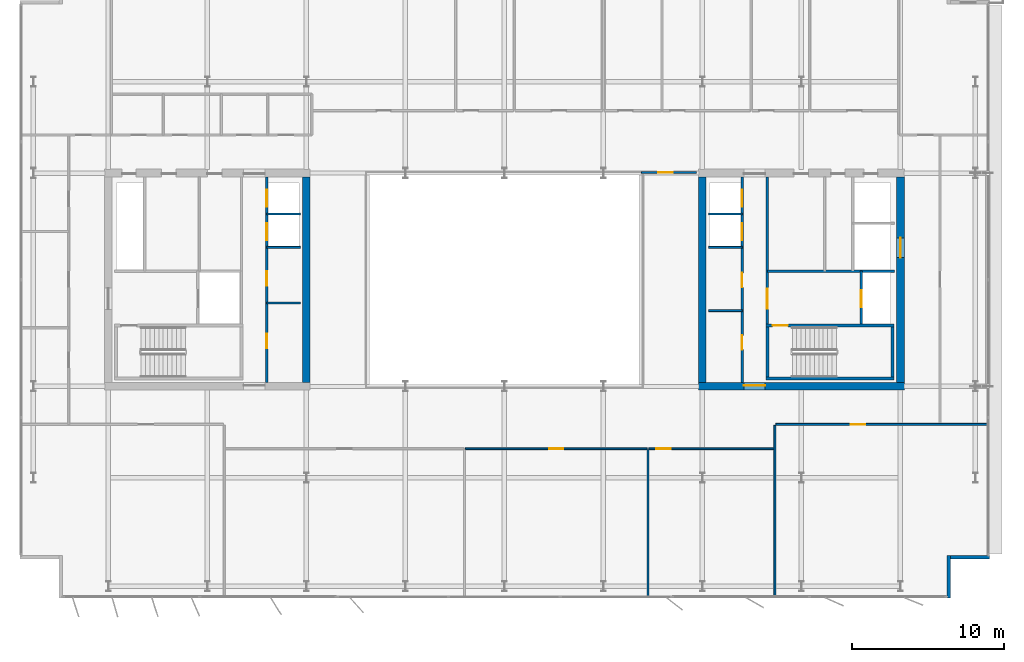
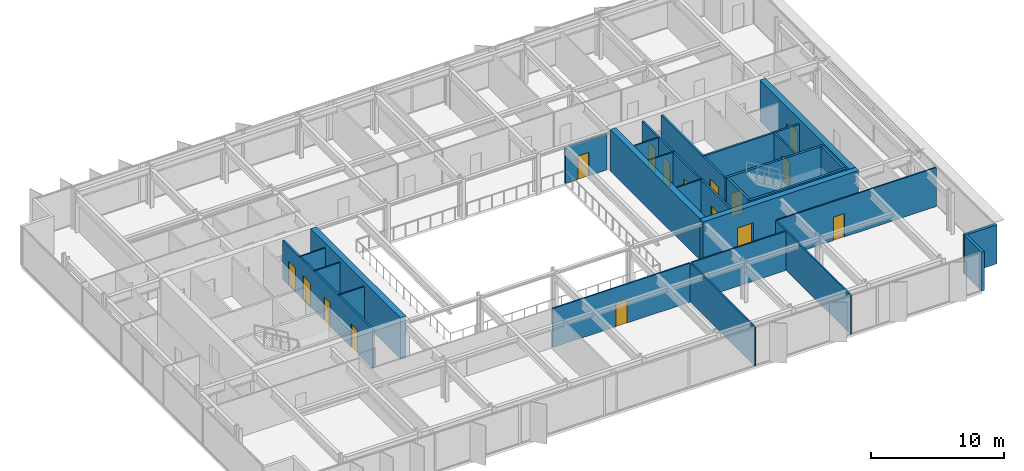
# One storey, part 13 of 19: 27 walls, 17 doors, 17 openings.
"""IFC4 building model written with IfcOpenShell, lengths in metres."""

from ifc_helpers import new_model, si_unit, direction, frame, frame_2d, origin, place, context, subcontext, project, spatial, rectangle, extrude, material, layer, layer_set, type_object, element, fill, save


model = new_model("IFC4")

# Units and contexts
model_context = context("Model", 3, precision=1e-05, world=origin(), true_north=direction((0.0, 1.0)))
body_context = subcontext(model_context, "Body", "Model", "MODEL_VIEW")
ifc_project = project(units=[si_unit("LENGTHUNIT", "METRE"), si_unit("AREAUNIT", "SQUARE_METRE"), si_unit("VOLUMEUNIT", "CUBIC_METRE"), si_unit("PLANEANGLEUNIT", "RADIAN"), si_unit("MASSUNIT", "GRAM", prefix="KILO")], contexts=[model_context])

# Site, building, storey
site_placement = place(None, origin())
site = spatial("IfcSite", under=ifc_project, at=site_placement, CompositionType="ELEMENT")
building_placement = place(site_placement, origin())
building = spatial("IfcBuilding", under=site, at=building_placement, Name="Putna Gate Headquarters", CompositionType="ELEMENT")
storey_placement = place(building_placement, frame((0.0, 0.0, 259.39990234375)))
storey = spatial("IfcBuildingStorey", under=building, at=storey_placement, Name="L65", CompositionType="ELEMENT", Elevation=259.39990234375)

# Wall
ifc_material_1 = material(Name="Concrete C50/60", Category="concrete")
ifc_layer_1 = layer(ifc_material_1, 0.5)
ifc_layer_set_1 = layer_set([ifc_layer_1], Name="Concrete C50/60")
wall_type_1 = type_object("IfcWallType", Name="WALL-CORE-500", PredefinedType="SHEAR", material=ifc_layer_set_1)
wall_1_placement = place(storey_placement, frame((26.0, 19.25, 0.0), z_axis=(0.0, 0.0, 1.0), x_axis=(0.0, 1.0, 0.0)))
element("IfcWall", 1, at=wall_1_placement, inside=storey, type_object=wall_type_1, Name="L65 WC Split Core Shear Wall E", PredefinedType="SHEAR", context=body_context, shape_type="SweptSolid", body=[
    extrude(rectangle(XDim=13.5, YDim=0.5, at=frame_2d((6.75, 0.0))), origin(), (0.0, 0.0, 1.0), 3.800048828125),
])

# Wall, opening, door
wall_2_placement = place(storey_placement, frame((51.75, 19.0, 0.0), z_axis=(0.0, 0.0, 1.0), x_axis=(1.0, 0.0, 0.0)))
wall_2 = element("IfcWall", 2, at=wall_2_placement, inside=storey, type_object=wall_type_1, Name="L65 EC Split Core Shear Wall S", PredefinedType="SHEAR", context=body_context, shape_type="SweptSolid", body=[
    extrude(rectangle(XDim=13.5, YDim=0.5, at=frame_2d((6.75, 0.0))), origin(), (0.0, 0.0, 1.0), 3.800048828125),
])
opening_1_placement = place(wall_2_placement, frame((2.969970703125, 0.0, 0.0)))
opening_1 = element("IfcOpeningElement", 3, at=opening_1_placement, cuts=wall_2, Name="Opening FDD-140", PredefinedType="OPENING", context=body_context, shape_type="SweptSolid", body=[
    extrude(rectangle(XDim=1.39990234375, YDim=2.199951171875, at=frame_2d((0.699951171875, 1.10009765625))), frame((0.0, 0.260009765625, 0.0), z_axis=(0.0, -1.0, 0.0), x_axis=(1.0, 0.0, 0.0)), (0.0, 0.0, 1.0), 0.52001953125),
])
ifc_material_2 = material(Name="Double steel fire door", Category="steel")
door_type_1 = type_object("IfcDoorType", Name="DOOR-FIRE-DBL-1400", OperationType="DOUBLE_DOOR_SINGLE_SWING", PredefinedType="DOOR", material=ifc_material_2)
door_1_placement = place(opening_1_placement, origin())
door_1 = element("IfcDoor", 4, at=door_1_placement, inside=storey, type_object=door_type_1, Name="L65 East Lift Lobby South Door", OperationType="DOUBLE_DOOR_SINGLE_SWING", OverallHeight=2.199951171875, OverallWidth=1.39990234375, PredefinedType="DOOR", context=body_context, shape_type="SweptSolid", body=[
    extrude(rectangle(XDim=1.39990234375, YDim=2.199951171875, at=frame_2d((0.699951171875, 1.10009765625))), frame((0.0, 0.0751953125, 0.0), z_axis=(0.0, -1.0, 0.0), x_axis=(1.0, 0.0, 0.0)), (0.0, 0.0, 1.0), 0.050048828125),
])
fill(opening_1, door_1)

# Wall
wall_3_placement = place(storey_placement, frame((52.0, 19.25, 0.0), z_axis=(0.0, 0.0, 1.0), x_axis=(0.0, 1.0, 0.0)))
element("IfcWall", 5, at=wall_3_placement, inside=storey, type_object=wall_type_1, Name="L65 EC Split Core Shear Wall W", PredefinedType="SHEAR", context=body_context, shape_type="SweptSolid", body=[
    extrude(rectangle(XDim=13.5, YDim=0.5, at=frame_2d((6.75, 0.0))), origin(), (0.0, 0.0, 1.0), 3.800048828125),
])

# Wall, opening, door
wall_4_placement = place(storey_placement, frame((65.0, 19.25, 0.0), z_axis=(0.0, 0.0, 1.0), x_axis=(0.0, 1.0, 0.0)))
wall_4 = element("IfcWall", 6, at=wall_4_placement, inside=storey, type_object=wall_type_1, Name="L65 EC Split Core Shear Wall E", PredefinedType="SHEAR", context=body_context, shape_type="SweptSolid", body=[
    extrude(rectangle(XDim=13.5, YDim=0.5, at=frame_2d((6.75, 0.0))), origin(), (0.0, 0.0, 1.0), 3.800048828125),
])
opening_2_placement = place(wall_4_placement, frame((8.199951171875, 0.0, 0.0)))
opening_2 = element("IfcOpeningElement", 7, at=opening_2_placement, cuts=wall_4, Name="Opening LD-2", PredefinedType="OPENING", context=body_context, shape_type="SweptSolid", body=[
    extrude(rectangle(XDim=1.300048828125, YDim=2.199951171875, at=frame_2d((0.64990234375, 1.10009765625))), frame((0.0, 0.260009765625, 0.0), z_axis=(0.0, -1.0, 0.0), x_axis=(1.0, 0.0, 0.0)), (0.0, 0.0, 1.0), 0.52001953125),
])
ifc_material_3 = material(Name="Heavy-duty goods lift sliding landing door")
door_type_2 = type_object("IfcDoorType", Name="DOOR-LIFT-1300", OperationType="DOUBLE_DOOR_SLIDING", PredefinedType="DOOR", material=ifc_material_3)
door_2_placement = place(opening_2_placement, origin())
door_2 = element("IfcDoor", 8, at=door_2_placement, inside=storey, type_object=door_type_2, Name="L65 Goods Lift Landing Door LD-15", OperationType="DOUBLE_DOOR_SLIDING", OverallHeight=2.199951171875, OverallWidth=1.300048828125, PredefinedType="DOOR", context=body_context, shape_type="SweptSolid", body=[
    extrude(rectangle(XDim=1.300048828125, YDim=2.199951171875, at=frame_2d((0.64990234375, 1.10009765625))), frame((0.0, 0.02490234375, 0.0), z_axis=(0.0, -1.0, 0.0), x_axis=(1.0, 0.0, 0.0)), (0.0, 0.0, 1.0), 0.050048828125),
])
fill(opening_2, door_2)

# Walls
ifc_material_4 = material(Name="Precast concrete C40/50", Category="concrete")
ifc_layer_2 = layer(ifc_material_4, 0.239990234375)
ifc_layer_set_2 = layer_set([ifc_layer_2], Name="Precast concrete C40/50")
wall_type_2 = type_object("IfcWallType", Name="WALL-EXT-TERR-240", PredefinedType="STANDARD", material=ifc_layer_set_2)
wall_5_placement = place(storey_placement, frame((68.16796875, 7.89990234375, 0.0), z_axis=(0.0, 0.0, 1.0), x_axis=(0.0, -1.0, 0.0)))
element("IfcWall", 9, at=wall_5_placement, inside=storey, type_object=wall_type_2, Name="L65 Corner Notch Return Wall SE-V", PredefinedType="STANDARD", context=body_context, shape_type="SweptSolid", body=[
    extrude(rectangle(XDim=2.7998046875, YDim=0.239990234375, at=frame_2d((1.39990234375, 0.0))), origin(), (0.0, 0.0, 1.0), 3.588134765625),
])
wall_6_placement = place(storey_placement, frame((70.847900390625, 7.780029296875, 0.0), z_axis=(0.0, 0.0, 1.0), x_axis=(-1.0, 0.0, 0.0)))
element("IfcWall", 10, at=wall_6_placement, inside=storey, type_object=wall_type_2, Name="L65 Corner Notch Return Wall SE-H", PredefinedType="STANDARD", context=body_context, shape_type="SweptSolid", body=[
    extrude(rectangle(XDim=2.800048828125, YDim=0.239990234375, at=frame_2d((1.39990234375, 0.0))), origin(), (0.0, 0.0, 1.0), 3.588134765625),
])

# Wall, opening, door
ifc_material_5 = material(Name="Acoustic gypsum board on metal stud")
ifc_layer_3 = layer(ifc_material_5, 0.1201171875)
ifc_layer_set_3 = layer_set([ifc_layer_3], Name="Acoustic gypsum board on metal stud")
wall_type_3 = type_object("IfcWallType", Name="WALL-PART-120", PredefinedType="PARTITIONING", material=ifc_layer_set_3)
wall_7_placement = place(storey_placement, frame((48.0, 33.0400390625, 0.0), z_axis=(0.0, 0.0, 1.0), x_axis=(1.0, 0.0, 0.0)))
wall_7 = element("IfcWall", 11, at=wall_7_placement, inside=storey, type_object=wall_type_3, Name="L65 Interior Wall PART-L65-ATR-E-N", PredefinedType="PARTITIONING", context=body_context, shape_type="SweptSolid", body=[
    extrude(rectangle(XDim=3.60009765625, YDim=0.1201171875, at=frame_2d((1.800048828125, 0.0))), origin(), (0.0, 0.0, 1.0), 3.328125),
])
opening_3_placement = place(wall_7_placement, frame((1.10009765625, 0.0, 0.0)))
opening_3 = element("IfcOpeningElement", 12, at=opening_3_placement, cuts=wall_7, Name="Opening ID-95", PredefinedType="OPENING", context=body_context, shape_type="SweptSolid", body=[
    extrude(rectangle(XDim=0.949951171875, YDim=2.14990234375, at=frame_2d((0.47509765625, 1.074951171875))), frame((0.0, 0.070068359375, 0.0), z_axis=(0.0, -1.0, 0.0), x_axis=(1.0, 0.0, 0.0)), (0.0, 0.0, 1.0), 0.14013671875),
])
ifc_material_6 = material(Name="Veneered acoustic timber door", Category="wood")
door_type_3 = type_object("IfcDoorType", Name="DOOR-OFF-950", OperationType="NOTDEFINED", PredefinedType="DOOR", material=ifc_material_6)
door_3_placement = place(opening_3_placement, origin())
door_3 = element("IfcDoor", 13, at=door_3_placement, inside=storey, type_object=door_type_3, Name="L65 East Sky Atrium Lounge Door", OperationType="SINGLE_SWING_LEFT", OverallHeight=2.14990234375, OverallWidth=0.949951171875, PredefinedType="DOOR", context=body_context, shape_type="SweptSolid", body=[
    extrude(rectangle(XDim=0.949951171875, YDim=2.14990234375, at=frame_2d((0.47509765625, 1.074951171875))), frame((0.0, 0.02490234375, 0.0), z_axis=(0.0, -1.0, 0.0), x_axis=(1.0, 0.0, 0.0)), (0.0, 0.0, 1.0), 0.050048828125),
])
fill(opening_3, door_3)

# Walls
wall_8_placement = place(storey_placement, frame((48.428466796875, 5.1201171875, 0.0), z_axis=(0.0, 0.0, 1.0), x_axis=(0.0, 1.0, 0.0)))
element("IfcWall", 14, at=wall_8_placement, inside=storey, type_object=wall_type_3, Name="L65 Interior Wall PART-L65-SB-DIV-03", PredefinedType="PARTITIONING", context=body_context, shape_type="SweptSolid", body=[
    extrude(rectangle(XDim=9.719970703125, YDim=0.1201171875, at=frame_2d((4.85986328125, 0.0))), origin(), (0.0, 0.0, 1.0), 3.588134765625),
])
wall_9_placement = place(storey_placement, frame((56.757080078125, 5.1201171875, 0.0), z_axis=(0.0, 0.0, 1.0), x_axis=(0.0, 1.0, 0.0)))
element("IfcWall", 15, at=wall_9_placement, inside=storey, type_object=wall_type_3, Name="L65 Interior Wall PART-L65-SB-DIV-04", PredefinedType="PARTITIONING", context=body_context, shape_type="SweptSolid", body=[
    extrude(rectangle(XDim=11.31982421875, YDim=0.1201171875, at=frame_2d((5.659912109375, 0.0))), origin(), (0.0, 0.0, 1.0), 3.588134765625),
])
ifc_material_7 = material(Name="Fire-rated shaftwall gypsum board on metal stud")
ifc_layer_4 = layer(ifc_material_7, 0.1201171875)
ifc_layer_set_4 = layer_set([ifc_layer_4], Name="Fire-rated shaftwall gypsum board on metal stud")
wall_type_4 = type_object("IfcWallType", Name="WALL-PART-120-EI120", PredefinedType="PARTITIONING", material=ifc_layer_set_4)
for number, where, z_axis, x_axis, name in (
    (16, (23.39990234375, 30.31005859375, 0.0), (0.0, 0.0, 1.0), (1.0, 0.0, 0.0), "L65 Interior Wall CWINT-L65-WC-LF09-DIV"),
    (17, (52.39990234375, 30.31005859375, 0.0), (0.0, 0.0, 1.0), (1.0, 0.0, 0.0), "L65 Interior Wall CWINT-L65-EC-LF11-DIV"),
):
    element("IfcWall", number, at=place(storey_placement, frame(where, z_axis=z_axis, x_axis=x_axis)), inside=storey, type_object=wall_type_4, Name=name, PredefinedType="PARTITIONING", context=body_context, shape_type="SweptSolid", body=[
        extrude(rectangle(XDim=2.2001953125, YDim=0.1201171875, at=frame_2d((1.10009765625, 0.0))), origin(), (0.0, 0.0, 1.0), 3.588134765625),
    ])
ifc_material_8 = material(Name="Fire-rated gypsum board on metal stud")
ifc_layer_5 = layer(ifc_material_8, 0.1201171875)
ifc_layer_set_5 = layer_set([ifc_layer_5], Name="Fire-rated gypsum board on metal stud")
wall_type_5 = type_object("IfcWallType", Name="WALL-PART-120-RATED", PredefinedType="PARTITIONING", material=ifc_layer_set_5)
for number, where, z_axis, x_axis, name in (
    (18, (23.39990234375, 24.469970703125, 0.0), (0.0, 0.0, 1.0), (1.0, 0.0, 0.0), "L65 Interior Wall CWINT-L65-WC-REUSE-DIV"),
    (19, (23.39990234375, 28.1201171875, 0.0), (0.0, 0.0, 1.0), (1.0, 0.0, 0.0), "L65 Interior Wall CWINT-L65-WC-LF06-DIV"),
    (20, (52.39990234375, 23.969970703125, 0.0), (0.0, 0.0, 1.0), (1.0, 0.0, 0.0), "L65 Interior Wall CWINT-L65-EC-REUSE-DIV"),
    (21, (52.39990234375, 28.1201171875, 0.0), (0.0, 0.0, 1.0), (1.0, 0.0, 0.0), "L65 Interior Wall CWINT-L65-EC-LF08-DIV"),
):
    element("IfcWall", number, at=place(storey_placement, frame(where, z_axis=z_axis, x_axis=x_axis)), inside=storey, type_object=wall_type_5, Name=name, PredefinedType="PARTITIONING", context=body_context, shape_type="SweptSolid", body=[
        extrude(rectangle(XDim=2.2001953125, YDim=0.1201171875, at=frame_2d((1.10009765625, 0.0))), origin(), (0.0, 0.0, 1.0), 3.588134765625),
    ])

# Wall, opening, door
wall_10_placement = place(storey_placement, frame((36.4384765625, 14.89990234375, 0.0), z_axis=(0.0, 0.0, 1.0), x_axis=(1.0, 0.0, 0.0)))
wall_10 = element("IfcWall", 22, at=wall_10_placement, inside=storey, type_object=wall_type_5, Name="L65 Interior Wall PART-L65-SB-CW-03", PredefinedType="PARTITIONING", context=body_context, shape_type="SweptSolid", body=[
    extrude(rectangle(XDim=11.929931640625, YDim=0.1201171875, at=frame_2d((5.96484375, 0.0))), origin(), (0.0, 0.0, 1.0), 3.588134765625),
])
opening_4_placement = place(wall_10_placement, frame((5.489990234375, 0.0, 0.0)))
opening_4 = element("IfcOpeningElement", 23, at=opening_4_placement, cuts=wall_10, Name="Opening FD-95", PredefinedType="OPENING", context=body_context, shape_type="SweptSolid", body=[
    extrude(rectangle(XDim=0.949951171875, YDim=2.14990234375, at=frame_2d((0.47509765625, 1.074951171875))), frame((0.0, 0.070068359375, 0.0), z_axis=(0.0, -1.0, 0.0), x_axis=(1.0, 0.0, 0.0)), (0.0, 0.0, 1.0), 0.14013671875),
])
ifc_material_9 = material(Name="Acoustic timber fire door", Category="wood")
door_type_4 = type_object("IfcDoorType", Name="DOOR-FIRE-950", OperationType="NOTDEFINED", PredefinedType="DOOR", material=ifc_material_9)
door_4_placement = place(opening_4_placement, origin())
door_4 = element("IfcDoor", 24, at=door_4_placement, inside=storey, type_object=door_type_4, Name="L65 Conference Meeting Room 1 Door", OperationType="SINGLE_SWING_LEFT", OverallHeight=2.14990234375, OverallWidth=0.949951171875, PredefinedType="DOOR", context=body_context, shape_type="SweptSolid", body=[
    extrude(rectangle(XDim=0.949951171875, YDim=2.14990234375, at=frame_2d((0.47509765625, 1.074951171875))), frame((0.0, 0.02490234375, 0.0), z_axis=(0.0, -1.0, 0.0), x_axis=(1.0, 0.0, 0.0)), (0.0, 0.0, 1.0), 0.050048828125),
])
fill(opening_4, door_4)

wall_11_placement = place(storey_placement, frame((48.488525390625, 14.89990234375, 0.0), z_axis=(0.0, 0.0, 1.0), x_axis=(1.0, 0.0, 0.0)))
wall_11 = element("IfcWall", 25, at=wall_11_placement, inside=storey, type_object=wall_type_5, Name="L65 Interior Wall PART-L65-SB-CW-04", PredefinedType="PARTITIONING", context=body_context, shape_type="SweptSolid", body=[
    extrude(rectangle(XDim=8.208740234375, YDim=0.1201171875, at=frame_2d((4.1044921875, 0.0))), origin(), (0.0, 0.0, 1.0), 3.588134765625),
])
opening_5_placement = place(wall_11_placement, frame((0.47998046875, 0.0, 0.0)))
opening_5 = element("IfcOpeningElement", 26, at=opening_5_placement, cuts=wall_11, Name="Opening FD-95", PredefinedType="OPENING", context=body_context, shape_type="SweptSolid", body=[
    extrude(rectangle(XDim=0.949951171875, YDim=2.14990234375, at=frame_2d((0.47509765625, 1.074951171875))), frame((0.0, 0.070068359375, 0.0), z_axis=(0.0, -1.0, 0.0), x_axis=(1.0, 0.0, 0.0)), (0.0, 0.0, 1.0), 0.14013671875),
])
door_5_placement = place(opening_5_placement, origin())
door_5 = element("IfcDoor", 27, at=door_5_placement, inside=storey, type_object=door_type_4, Name="L65 Conference Meeting Room 2 Door", OperationType="SINGLE_SWING_RIGHT", OverallHeight=2.14990234375, OverallWidth=0.949951171875, PredefinedType="DOOR", context=body_context, shape_type="SweptSolid", body=[
    extrude(rectangle(XDim=0.949951171875, YDim=2.14990234375, at=frame_2d((0.47509765625, 1.074951171875))), frame((0.0, 0.02490234375, 0.0), z_axis=(0.0, -1.0, 0.0), x_axis=(1.0, 0.0, 0.0)), (0.0, 0.0, 1.0), 0.050048828125),
])
fill(opening_5, door_5)

wall_12_placement = place(storey_placement, frame((56.817138671875, 16.5, 0.0), z_axis=(0.0, 0.0, 1.0), x_axis=(1.0, 0.0, 0.0)))
wall_12 = element("IfcWall", 28, at=wall_12_placement, inside=storey, type_object=wall_type_5, Name="L65 Interior Wall PART-L65-SB-CW-05", PredefinedType="PARTITIONING", context=body_context, shape_type="SweptSolid", body=[
    extrude(rectangle(XDim=13.850830078125, YDim=0.1201171875, at=frame_2d((6.92529296875, 0.0))), origin(), (0.0, 0.0, 1.0), 3.588134765625),
])
opening_6_placement = place(wall_12_placement, frame((4.91650390625, 0.0, 0.0)))
opening_6 = element("IfcOpeningElement", 29, at=opening_6_placement, cuts=wall_12, Name="Opening FD-95", PredefinedType="OPENING", context=body_context, shape_type="SweptSolid", body=[
    extrude(rectangle(XDim=0.949951171875, YDim=2.14990234375, at=frame_2d((0.47509765625, 1.074951171875))), frame((0.0, 0.070068359375, 0.0), z_axis=(0.0, -1.0, 0.0), x_axis=(1.0, 0.0, 0.0)), (0.0, 0.0, 1.0), 0.14013671875),
])
door_6_placement = place(opening_6_placement, origin())
door_6 = element("IfcDoor", 30, at=door_6_placement, inside=storey, type_object=door_type_4, Name="L65 Quiet Wellness Focus Studio 1 Door", OperationType="SINGLE_SWING_LEFT", OverallHeight=2.14990234375, OverallWidth=0.949951171875, PredefinedType="DOOR", context=body_context, shape_type="SweptSolid", body=[
    extrude(rectangle(XDim=0.949951171875, YDim=2.14990234375, at=frame_2d((0.47509765625, 1.074951171875))), frame((0.0, 0.02490234375, 0.0), z_axis=(0.0, -1.0, 0.0), x_axis=(1.0, 0.0, 0.0)), (0.0, 0.0, 1.0), 0.050048828125),
])
fill(opening_6, door_6)

# Wall, openings, doors
ifc_material_10 = material(Name="Concrete C40/50", Category="concrete")
ifc_layer_6 = layer(ifc_material_10, 0.159912109375)
ifc_layer_set_6 = layer_set([ifc_layer_6], Name="Concrete C40/50")
wall_type_6 = type_object("IfcWallType", Name="WALL-SHAFT-160", PredefinedType="STANDARD", material=ifc_layer_set_6)
wall_13_placement = place(storey_placement, frame((23.39990234375, 19.25, 0.0), z_axis=(0.0, 0.0, 1.0), x_axis=(0.0, 1.0, 0.0)))
wall_13 = element("IfcWall", 31, at=wall_13_placement, inside=storey, type_object=wall_type_6, Name="L65 Interior Wall CWINT-L65-WC-PL-WALL", PredefinedType="STANDARD", context=body_context, shape_type="SweptSolid", body=[
    extrude(rectangle(XDim=13.5, YDim=0.159912109375, at=frame_2d((6.75, 0.0))), origin(), (0.0, 0.0, 1.0), 3.588134765625),
])
opening_7_placement = place(wall_13_placement, frame((2.25, 0.0, 0.0)))
opening_7 = element("IfcOpeningElement", 32, at=opening_7_placement, cuts=wall_13, Name="Opening IDS-95", PredefinedType="OPENING", context=body_context, shape_type="SweptSolid", body=[
    extrude(rectangle(XDim=0.949951171875, YDim=2.14990234375, at=frame_2d((0.47509765625, 1.074951171875))), frame((0.0, 0.08984375, 0.0), z_axis=(0.0, -1.0, 0.0), x_axis=(1.0, 0.0, 0.0)), (0.0, 0.0, 1.0), 0.179931640625),
])
opening_8_placement = place(wall_13_placement, frame((6.35009765625, 0.0, 0.0)))
opening_8 = element("IfcOpeningElement", 33, at=opening_8_placement, cuts=wall_13, Name="Opening IDS-95", PredefinedType="OPENING", context=body_context, shape_type="SweptSolid", body=[
    extrude(rectangle(XDim=0.949951171875, YDim=2.14990234375, at=frame_2d((0.47509765625, 1.074951171875))), frame((0.0, 0.08984375, 0.0), z_axis=(0.0, -1.0, 0.0), x_axis=(1.0, 0.0, 0.0)), (0.0, 0.0, 1.0), 0.179931640625),
])
opening_9_placement = place(wall_13_placement, frame((9.35009765625, 0.0, 0.0)))
opening_9 = element("IfcOpeningElement", 34, at=opening_9_placement, cuts=wall_13, Name="Opening LD-1", PredefinedType="OPENING", context=body_context, shape_type="SweptSolid", body=[
    extrude(rectangle(XDim=1.10009765625, YDim=2.199951171875, at=frame_2d((0.550048828125, 1.10009765625))), frame((0.0, 0.08984375, 0.0), z_axis=(0.0, -1.0, 0.0), x_axis=(1.0, 0.0, 0.0)), (0.0, 0.0, 1.0), 0.179931640625),
])
opening_10_placement = place(wall_13_placement, frame((11.550048828125, 0.0, 0.0)))
opening_10 = element("IfcOpeningElement", 35, at=opening_10_placement, cuts=wall_13, Name="Opening LD-1", PredefinedType="OPENING", context=body_context, shape_type="SweptSolid", body=[
    extrude(rectangle(XDim=1.10009765625, YDim=2.199951171875, at=frame_2d((0.550048828125, 1.10009765625))), frame((0.0, 0.08984375, 0.0), z_axis=(0.0, -1.0, 0.0), x_axis=(1.0, 0.0, 0.0)), (0.0, 0.0, 1.0), 0.179931640625),
])
ifc_material_11 = material(Name="Fire-rated service timber door", Category="wood")
door_type_5 = type_object("IfcDoorType", Name="DOOR-INT-950", OperationType="NOTDEFINED", PredefinedType="DOOR", material=ifc_material_11)
door_7_placement = place(opening_7_placement, origin())
door_7 = element("IfcDoor", 36, at=door_7_placement, inside=storey, type_object=door_type_5, Name="L65 Tenant IT Hub Door", OperationType="SINGLE_SWING_LEFT", OverallHeight=2.14990234375, OverallWidth=0.949951171875, PredefinedType="DOOR", context=body_context, shape_type="SweptSolid", body=[
    extrude(rectangle(XDim=0.949951171875, YDim=2.14990234375, at=frame_2d((0.47509765625, 1.074951171875))), frame((0.0, 0.02490234375, 0.0), z_axis=(0.0, -1.0, 0.0), x_axis=(1.0, 0.0, 0.0)), (0.0, 0.0, 1.0), 0.050048828125),
])
fill(opening_7, door_7)
door_8_placement = place(opening_8_placement, origin())
door_8 = element("IfcDoor", 37, at=door_8_placement, inside=storey, type_object=door_type_5, Name="L65 Records Vault Door", OperationType="SINGLE_SWING_RIGHT", OverallHeight=2.14990234375, OverallWidth=0.949951171875, PredefinedType="DOOR", context=body_context, shape_type="SweptSolid", body=[
    extrude(rectangle(XDim=0.949951171875, YDim=2.14990234375, at=frame_2d((0.47509765625, 1.074951171875))), frame((0.0, 0.02490234375, 0.0), z_axis=(0.0, -1.0, 0.0), x_axis=(1.0, 0.0, 0.0)), (0.0, 0.0, 1.0), 0.050048828125),
])
fill(opening_8, door_8)
ifc_material_12 = material(Name="Brushed bronze stainless lift landing door")
door_type_6 = type_object("IfcDoorType", Name="DOOR-LIFT-1100", OperationType="DOUBLE_DOOR_SLIDING", PredefinedType="DOOR", material=ifc_material_12)
door_9_placement = place(opening_9_placement, origin())
door_9 = element("IfcDoor", 38, at=door_9_placement, inside=storey, type_object=door_type_6, Name="L65 Lift Landing Door LD-09", OperationType="DOUBLE_DOOR_SLIDING", OverallHeight=2.199951171875, OverallWidth=1.10009765625, PredefinedType="DOOR", context=body_context, shape_type="SweptSolid", body=[
    extrude(rectangle(XDim=1.10009765625, YDim=2.199951171875, at=frame_2d((0.550048828125, 1.10009765625))), frame((0.0, 0.02490234375, 0.0), z_axis=(0.0, -1.0, 0.0), x_axis=(1.0, 0.0, 0.0)), (0.0, 0.0, 1.0), 0.050048828125),
])
fill(opening_9, door_9)
door_10_placement = place(opening_10_placement, origin())
door_10 = element("IfcDoor", 39, at=door_10_placement, inside=storey, type_object=door_type_6, Name="L65 Lift Landing Door LD-10", OperationType="DOUBLE_DOOR_SLIDING", OverallHeight=2.199951171875, OverallWidth=1.10009765625, PredefinedType="DOOR", context=body_context, shape_type="SweptSolid", body=[
    extrude(rectangle(XDim=1.10009765625, YDim=2.199951171875, at=frame_2d((0.550048828125, 1.10009765625))), frame((0.0, 0.02490234375, 0.0), z_axis=(0.0, -1.0, 0.0), x_axis=(1.0, 0.0, 0.0)), (0.0, 0.0, 1.0), 0.050048828125),
])
fill(opening_10, door_10)

wall_14_placement = place(storey_placement, frame((54.60009765625, 19.25, 0.0), z_axis=(0.0, 0.0, 1.0), x_axis=(0.0, 1.0, 0.0)))
wall_14 = element("IfcWall", 40, at=wall_14_placement, inside=storey, type_object=wall_type_6, Name="L65 Interior Wall CWINT-L65-EC-PL-WALL", PredefinedType="STANDARD", context=body_context, shape_type="SweptSolid", body=[
    extrude(rectangle(XDim=13.5, YDim=0.159912109375, at=frame_2d((6.75, 0.0))), origin(), (0.0, 0.0, 1.0), 3.588134765625),
])
opening_11_placement = place(wall_14_placement, frame((2.14990234375, 0.0, 0.0)))
opening_11 = element("IfcOpeningElement", 41, at=opening_11_placement, cuts=wall_14, Name="Opening IDS-95", PredefinedType="OPENING", context=body_context, shape_type="SweptSolid", body=[
    extrude(rectangle(XDim=0.949951171875, YDim=2.14990234375, at=frame_2d((0.47509765625, 1.074951171875))), frame((0.0, 0.08984375, 0.0), z_axis=(0.0, -1.0, 0.0), x_axis=(1.0, 0.0, 0.0)), (0.0, 0.0, 1.0), 0.179931640625),
])
opening_12_placement = place(wall_14_placement, frame((6.25, 0.0, 0.0)))
opening_12 = element("IfcOpeningElement", 42, at=opening_12_placement, cuts=wall_14, Name="Opening IDS-95", PredefinedType="OPENING", context=body_context, shape_type="SweptSolid", body=[
    extrude(rectangle(XDim=0.949951171875, YDim=2.14990234375, at=frame_2d((0.47509765625, 1.074951171875))), frame((0.0, 0.08984375, 0.0), z_axis=(0.0, -1.0, 0.0), x_axis=(1.0, 0.0, 0.0)), (0.0, 0.0, 1.0), 0.179931640625),
])
opening_13_placement = place(wall_14_placement, frame((9.35009765625, 0.0, 0.0)))
opening_13 = element("IfcOpeningElement", 43, at=opening_13_placement, cuts=wall_14, Name="Opening LD-1", PredefinedType="OPENING", context=body_context, shape_type="SweptSolid", body=[
    extrude(rectangle(XDim=1.10009765625, YDim=2.199951171875, at=frame_2d((0.550048828125, 1.10009765625))), frame((0.0, 0.08984375, 0.0), z_axis=(0.0, -1.0, 0.0), x_axis=(1.0, 0.0, 0.0)), (0.0, 0.0, 1.0), 0.179931640625),
])
opening_14_placement = place(wall_14_placement, frame((11.550048828125, 0.0, 0.0)))
opening_14 = element("IfcOpeningElement", 44, at=opening_14_placement, cuts=wall_14, Name="Opening LD-1", PredefinedType="OPENING", context=body_context, shape_type="SweptSolid", body=[
    extrude(rectangle(XDim=1.10009765625, YDim=2.199951171875, at=frame_2d((0.550048828125, 1.10009765625))), frame((0.0, 0.08984375, 0.0), z_axis=(0.0, -1.0, 0.0), x_axis=(1.0, 0.0, 0.0)), (0.0, 0.0, 1.0), 0.179931640625),
])
door_11_placement = place(opening_11_placement, origin())
door_11 = element("IfcDoor", 45, at=door_11_placement, inside=storey, type_object=door_type_5, Name="L65 Executive Archive Door", OperationType="SINGLE_SWING_RIGHT", OverallHeight=2.14990234375, OverallWidth=0.949951171875, PredefinedType="DOOR", context=body_context, shape_type="SweptSolid", body=[
    extrude(rectangle(XDim=0.949951171875, YDim=2.14990234375, at=frame_2d((0.47509765625, 1.074951171875))), frame((0.0, 0.02490234375, 0.0), z_axis=(0.0, -1.0, 0.0), x_axis=(1.0, 0.0, 0.0)), (0.0, 0.0, 1.0), 0.050048828125),
])
fill(opening_11, door_11)
door_12_placement = place(opening_12_placement, origin())
door_12 = element("IfcDoor", 46, at=door_12_placement, inside=storey, type_object=door_type_5, Name="L65 Comms Distribution Door", OperationType="SINGLE_SWING_LEFT", OverallHeight=2.14990234375, OverallWidth=0.949951171875, PredefinedType="DOOR", context=body_context, shape_type="SweptSolid", body=[
    extrude(rectangle(XDim=0.949951171875, YDim=2.14990234375, at=frame_2d((0.47509765625, 1.074951171875))), frame((0.0, 0.02490234375, 0.0), z_axis=(0.0, -1.0, 0.0), x_axis=(1.0, 0.0, 0.0)), (0.0, 0.0, 1.0), 0.050048828125),
])
fill(opening_12, door_12)
door_13_placement = place(opening_13_placement, origin())
door_13 = element("IfcDoor", 47, at=door_13_placement, inside=storey, type_object=door_type_6, Name="L65 Lift Landing Door LD-11", OperationType="DOUBLE_DOOR_SLIDING", OverallHeight=2.199951171875, OverallWidth=1.10009765625, PredefinedType="DOOR", context=body_context, shape_type="SweptSolid", body=[
    extrude(rectangle(XDim=1.10009765625, YDim=2.199951171875, at=frame_2d((0.550048828125, 1.10009765625))), frame((0.0, 0.02490234375, 0.0), z_axis=(0.0, -1.0, 0.0), x_axis=(1.0, 0.0, 0.0)), (0.0, 0.0, 1.0), 0.050048828125),
])
fill(opening_13, door_13)
door_14_placement = place(opening_14_placement, origin())
door_14 = element("IfcDoor", 48, at=door_14_placement, inside=storey, type_object=door_type_6, Name="L65 Lift Landing Door LD-12", OperationType="DOUBLE_DOOR_SLIDING", OverallHeight=2.199951171875, OverallWidth=1.10009765625, PredefinedType="DOOR", context=body_context, shape_type="SweptSolid", body=[
    extrude(rectangle(XDim=1.10009765625, YDim=2.199951171875, at=frame_2d((0.550048828125, 1.10009765625))), frame((0.0, 0.02490234375, 0.0), z_axis=(0.0, -1.0, 0.0), x_axis=(1.0, 0.0, 0.0)), (0.0, 0.0, 1.0), 0.050048828125),
])
fill(opening_14, door_14)

# Wall, opening, door
wall_15_placement = place(storey_placement, frame((56.260009765625, 23.090087890625, 0.0), z_axis=(0.0, 0.0, 1.0), x_axis=(0.0, 1.0, 0.0)))
wall_15 = element("IfcWall", 49, at=wall_15_placement, inside=storey, type_object=wall_type_6, Name="L65 Interior Wall CWINT-L65-EC-LOB-E", PredefinedType="STANDARD", context=body_context, shape_type="SweptSolid", body=[
    extrude(rectangle(XDim=9.659912109375, YDim=0.159912109375, at=frame_2d((4.830078125, 0.0))), origin(), (0.0, 0.0, 1.0), 3.588134765625),
])
opening_15_placement = place(wall_15_placement, frame((1.010009765625, 0.0, 0.0)))
opening_15 = element("IfcOpeningElement", 50, at=opening_15_placement, cuts=wall_15, Name="Opening FDD-130", PredefinedType="OPENING", context=body_context, shape_type="SweptSolid", body=[
    extrude(rectangle(XDim=1.300048828125, YDim=2.199951171875, at=frame_2d((0.64990234375, 1.10009765625))), frame((0.0, 0.08984375, 0.0), z_axis=(0.0, -1.0, 0.0), x_axis=(1.0, 0.0, 0.0)), (0.0, 0.0, 1.0), 0.179931640625),
])
ifc_material_13 = material(Name="Double steel lobby fire door", Category="steel")
door_type_7 = type_object("IfcDoorType", Name="DOOR-FIRE-DBL-1300", OperationType="DOUBLE_DOOR_SINGLE_SWING", PredefinedType="DOOR", material=ifc_material_13)
door_15_placement = place(opening_15_placement, origin())
door_15 = element("IfcDoor", 51, at=door_15_placement, inside=storey, type_object=door_type_7, Name="L65 East Firefighting Lobby Door", OperationType="DOUBLE_DOOR_SINGLE_SWING", OverallHeight=2.199951171875, OverallWidth=1.300048828125, PredefinedType="DOOR", context=body_context, shape_type="SweptSolid", body=[
    extrude(rectangle(XDim=1.300048828125, YDim=2.199951171875, at=frame_2d((0.64990234375, 1.10009765625))), frame((0.0, 0.02490234375, 0.0), z_axis=(0.0, -1.0, 0.0), x_axis=(1.0, 0.0, 0.0)), (0.0, 0.0, 1.0), 0.050048828125),
])
fill(opening_15, door_15)

wall_16_placement = place(storey_placement, frame((62.429931640625, 23.090087890625, 0.0), z_axis=(0.0, 0.0, 1.0), x_axis=(0.0, 1.0, 0.0)))
wall_16 = element("IfcWall", 52, at=wall_16_placement, inside=storey, type_object=wall_type_6, Name="L65 Interior Wall CWINT-L65-EC-LF14-W", PredefinedType="STANDARD", context=body_context, shape_type="SweptSolid", body=[
    extrude(rectangle(XDim=3.469970703125, YDim=0.159912109375, at=frame_2d((1.73486328125, 0.0))), origin(), (0.0, 0.0, 1.0), 3.588134765625),
])
opening_16_placement = place(wall_16_placement, frame((1.10009765625, 0.0, 0.0)))
opening_16 = element("IfcOpeningElement", 53, at=opening_16_placement, cuts=wall_16, Name="Opening LD-1", PredefinedType="OPENING", context=body_context, shape_type="SweptSolid", body=[
    extrude(rectangle(XDim=1.10009765625, YDim=2.199951171875, at=frame_2d((0.550048828125, 1.10009765625))), frame((0.0, 0.08984375, 0.0), z_axis=(0.0, -1.0, 0.0), x_axis=(1.0, 0.0, 0.0)), (0.0, 0.0, 1.0), 0.179931640625),
])
door_16_placement = place(opening_16_placement, origin())
door_16 = element("IfcDoor", 54, at=door_16_placement, inside=storey, type_object=door_type_6, Name="L65 Lift Landing Door LD-14", OperationType="DOUBLE_DOOR_SLIDING", OverallHeight=2.199951171875, OverallWidth=1.10009765625, PredefinedType="DOOR", context=body_context, shape_type="SweptSolid", body=[
    extrude(rectangle(XDim=1.10009765625, YDim=2.199951171875, at=frame_2d((0.550048828125, 1.10009765625))), frame((0.0, 0.02490234375, 0.0), z_axis=(0.0, -1.0, 0.0), x_axis=(1.0, 0.0, 0.0)), (0.0, 0.0, 1.0), 0.050048828125),
])
fill(opening_16, door_16)

# Walls
wall_17_placement = place(storey_placement, frame((56.260009765625, 26.56005859375, 0.0), z_axis=(0.0, 0.0, 1.0), x_axis=(1.0, 0.0, 0.0)))
element("IfcWall", 55, at=wall_17_placement, inside=storey, type_object=wall_type_6, Name="L65 Interior Wall CWINT-L65-EC-FFL-N", PredefinedType="STANDARD", context=body_context, shape_type="SweptSolid", body=[
    extrude(rectangle(XDim=8.340087890625, YDim=0.159912109375, at=frame_2d((4.169921875, 0.0))), origin(), (0.0, 0.0, 1.0), 3.588134765625),
])
ifc_layer_7 = layer(ifc_material_10, 0.199951171875)
ifc_layer_set_7 = layer_set([ifc_layer_7], Name="Concrete C40/50")
wall_type_7 = type_object("IfcWallType", Name="WALL-SHAFT-RC200", PredefinedType="SHEAR", material=ifc_layer_set_7)
wall_18_placement = place(storey_placement, frame((56.159912109375, 19.510009765625, 0.0), z_axis=(0.0, 0.0, 1.0), x_axis=(1.0, 0.0, 0.0)))
element("IfcWall", 56, at=wall_18_placement, inside=storey, type_object=wall_type_7, Name="L65 Stair ST2 Structural Shaft Wall S", PredefinedType="SHEAR", context=body_context, shape_type="SweptSolid", body=[
    extrude(rectangle(XDim=8.43017578125, YDim=0.199951171875, at=frame_2d((4.215087890625, 0.0))), origin(), (0.0, 0.0, 1.0), 3.800048828125),
])

# Wall, opening, door
wall_19_placement = place(storey_placement, frame((56.159912109375, 22.989990234375, 0.0), z_axis=(0.0, 0.0, 1.0), x_axis=(1.0, 0.0, 0.0)))
wall_19 = element("IfcWall", 57, at=wall_19_placement, inside=storey, type_object=wall_type_7, Name="L65 Stair ST2 Structural Shaft Wall N", PredefinedType="SHEAR", context=body_context, shape_type="SweptSolid", body=[
    extrude(rectangle(XDim=8.43017578125, YDim=0.199951171875, at=frame_2d((4.215087890625, 0.0))), origin(), (0.0, 0.0, 1.0), 3.800048828125),
])
opening_17_placement = place(wall_19_placement, frame((0.449951171875, 0.0, 0.0)))
opening_17 = element("IfcOpeningElement", 58, at=opening_17_placement, cuts=wall_19, Name="Opening FD-100", PredefinedType="OPENING", context=body_context, shape_type="SweptSolid", body=[
    extrude(rectangle(XDim=1.0, YDim=2.14990234375, at=frame_2d((0.5, 1.074951171875))), frame((0.0, 0.10986328125, 0.0), z_axis=(0.0, -1.0, 0.0), x_axis=(1.0, 0.0, 0.0)), (0.0, 0.0, 1.0), 0.219970703125),
])
ifc_material_14 = material(Name="Powder-coated steel fire door", Category="steel")
door_type_8 = type_object("IfcDoorType", Name="DOOR-FIRE-1000", OperationType="NOTDEFINED", PredefinedType="DOOR", material=ifc_material_14)
door_17_placement = place(opening_17_placement, origin())
door_17 = element("IfcDoor", 59, at=door_17_placement, inside=storey, type_object=door_type_8, Name="L65 Stair ST2 Fire Door", OperationType="SINGLE_SWING_RIGHT", OverallHeight=2.14990234375, OverallWidth=1.0, PredefinedType="DOOR", context=body_context, shape_type="SweptSolid", body=[
    extrude(rectangle(XDim=1.0, YDim=2.14990234375, at=frame_2d((0.5, 1.074951171875))), frame((0.0, 0.02490234375, 0.0), z_axis=(0.0, -1.0, 0.0), x_axis=(1.0, 0.0, 0.0)), (0.0, 0.0, 1.0), 0.050048828125),
])
fill(opening_17, door_17)

# Walls
for number, where, z_axis, x_axis, name in (
    (60, (56.260009765625, 19.610107421875, 0.0), (0.0, 0.0, 1.0), (0.0, 1.0, 0.0), "L65 Stair ST2 Structural Shaft Wall W"),
    (61, (64.489990234375, 19.610107421875, 0.0), (0.0, 0.0, 1.0), (0.0, 1.0, 0.0), "L65 Stair ST2 Structural Shaft Wall E"),
):
    element("IfcWall", number, at=place(storey_placement, frame(where, z_axis=z_axis, x_axis=x_axis)), inside=storey, type_object=wall_type_7, Name=name, PredefinedType="SHEAR", context=body_context, shape_type="SweptSolid", body=[
        extrude(rectangle(XDim=3.27978515625, YDim=0.199951171875, at=frame_2d((1.639892578125, 0.0))), origin(), (0.0, 0.0, 1.0), 3.800048828125),
    ])

save(model, "model.ifc")
